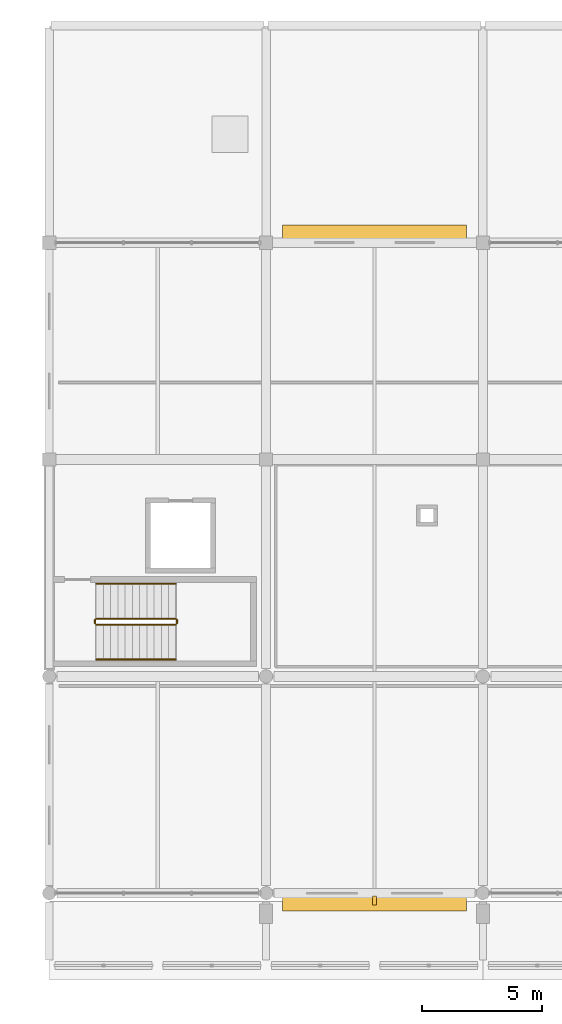
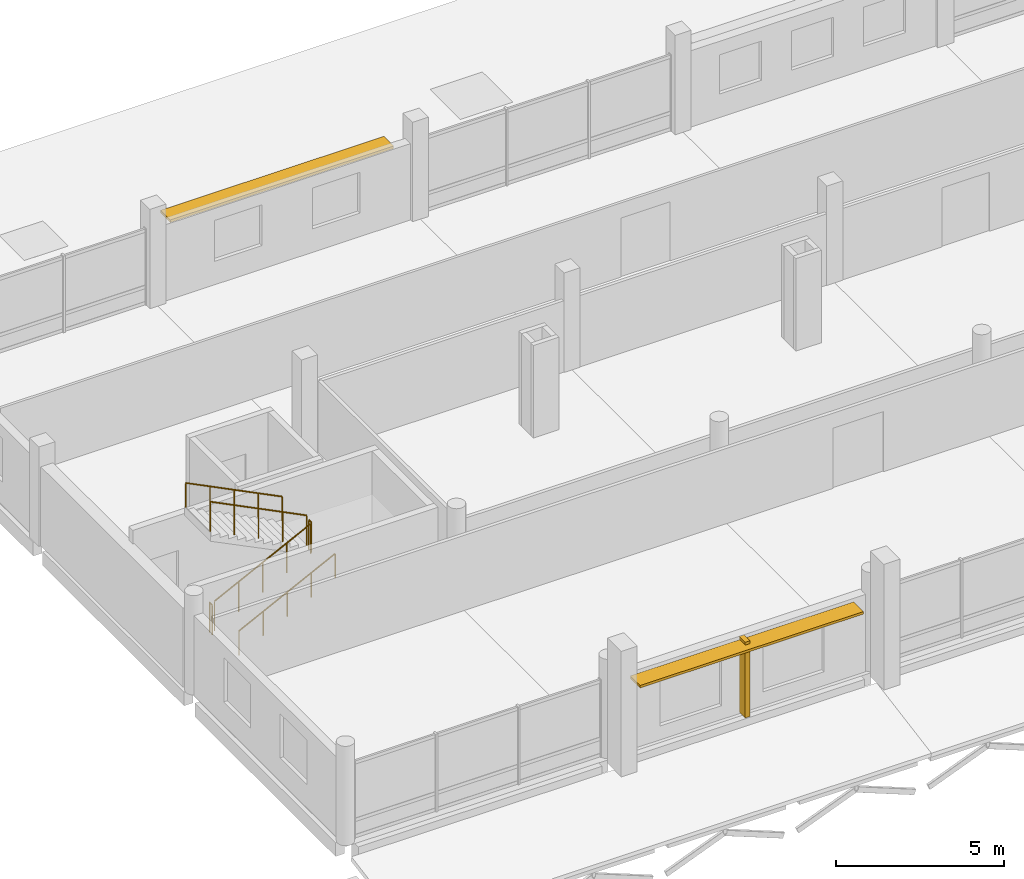
# One storey, part 126 of 132: 6 railings, 3 shading devices.
"""IFC4 building model written with IfcOpenShell, lengths in metres."""

from ifc_helpers import new_model, si_unit, direction, frame, origin, origin_2d, place, context, subcontext, project, spatial, rectangle, circle, extrude, material, layer, layer_set, type_object, element, save


model = new_model("IFC4")

# Units and contexts
model_context = context("Model", 3, precision=1e-05, world=origin(), true_north=direction((0.0, 1.0)))
body_context = subcontext(model_context, "Body", "Model", "MODEL_VIEW")
ifc_project = project(units=[si_unit("LENGTHUNIT", "METRE"), si_unit("AREAUNIT", "SQUARE_METRE"), si_unit("VOLUMEUNIT", "CUBIC_METRE"), si_unit("PLANEANGLEUNIT", "RADIAN"), si_unit("MASSUNIT", "GRAM", prefix="KILO")], contexts=[model_context])

# Site, building, storey
site_placement = place(None, origin())
site = spatial("IfcSite", under=ifc_project, at=site_placement, CompositionType="ELEMENT")
building_placement = place(site_placement, origin())
building = spatial("IfcBuilding", under=site, at=building_placement, Name="Tharagai Park Tramway Depot", CompositionType="ELEMENT")
storey_placement = place(building_placement, frame((0.0, 0.0, 4.800048828125)))
storey = spatial("IfcBuildingStorey", under=building, at=storey_placement, Name="L01", CompositionType="ELEMENT", Elevation=4.800048828125)

# Railings
ifc_material_1 = material(Name="Galvanised steel", Category="steel")
railing_type_1 = type_object("IfcRailingType", Name="HR-02", PredefinedType="GUARDRAIL", material=ifc_material_1)
railing_1_placement = place(storey_placement, frame((136.949951171875, 11.14990234375, 0.14990234375)))
element("IfcRailing", 1, at=railing_1_placement, inside=storey, type_object=railing_type_1, Name="L01 ST-06 stair guard 1", PredefinedType="GUARDRAIL", context=body_context, shape_type="SweptSolid", body=[
    extrude(circle(Radius=0.02392578125, at=origin_2d()), frame((0.0, 0.0, 1.076171875), z_axis=(0.894413956696, 0.0, 0.447240063129), x_axis=(0.0, 1.0, 0.0)), (0.0, 0.0, 1.0), 3.689697265625),
    extrude(circle(Radius=0.02099609375, at=origin_2d()), origin(), (0.0, 0.0, 1.0), 1.052001953125),
    extrude(circle(Radius=0.02099609375, at=origin_2d()), frame((0.824951171875, 0.0, 0.41259765625)), (0.0, 0.0, 1.0), 1.052001953125),
    extrude(circle(Radius=0.02099609375, at=origin_2d()), frame((1.64990234375, 0.0, 0.8251953125)), (0.0, 0.0, 1.0), 1.052001953125),
    extrude(circle(Radius=0.02099609375, at=origin_2d()), frame((2.47509765625, 0.0, 1.237548828125)), (0.0, 0.0, 1.0), 1.052001953125),
    extrude(circle(Radius=0.02099609375, at=origin_2d()), frame((3.300048828125, 0.0, 1.650146484375)), (0.0, 0.0, 1.0), 1.052001953125),
])
railing_2_placement = place(storey_placement, frame((140.300048828125, 11.199951171875, 1.800048828125)))
element("IfcRailing", 2, at=railing_2_placement, inside=storey, type_object=railing_type_1, Name="L01 ST-06 stair guard 2", PredefinedType="GUARDRAIL", context=body_context, shape_type="SweptSolid", body=[
    extrude(circle(Radius=0.02392578125, at=origin_2d()), frame((0.0, 0.0, 1.076171875), z_axis=(0.0, 1.0, 0.0), x_axis=(-1.0, 0.0, 0.0)), (0.0, 0.0, 1.0), 0.150146484375),
    extrude(circle(Radius=0.02099609375, at=origin_2d()), origin(), (0.0, 0.0, 1.0), 1.052001953125),
    extrude(circle(Radius=0.02099609375, at=origin_2d()), frame((0.0, 0.150146484375, 0.0)), (0.0, 0.0, 1.0), 1.052001953125),
])
railing_3_placement = place(storey_placement, frame((140.25, 11.39990234375, 1.949951171875)))
element("IfcRailing", 3, at=railing_3_placement, inside=storey, type_object=railing_type_1, Name="L01 ST-06 stair guard 3", PredefinedType="GUARDRAIL", context=body_context, shape_type="SweptSolid", body=[
    extrude(circle(Radius=0.02392578125, at=origin_2d()), frame((0.0, 0.0, 1.076171875), z_axis=(-0.894440424912, 0.0, 0.447187126696), x_axis=(0.0, -1.0, 0.0)), (0.0, 0.0, 1.0), 3.689453125),
    extrude(circle(Radius=0.02099609375, at=origin_2d()), origin(), (0.0, 0.0, 1.0), 1.052001953125),
    extrude(circle(Radius=0.02099609375, at=origin_2d()), frame((-0.824951171875, 0.0, 0.41259765625)), (0.0, 0.0, 1.0), 1.052001953125),
    extrude(circle(Radius=0.02099609375, at=origin_2d()), frame((-1.64990234375, 0.0, 0.824951171875)), (0.0, 0.0, 1.0), 1.052001953125),
    extrude(circle(Radius=0.02099609375, at=origin_2d()), frame((-2.47509765625, 0.0, 1.2373046875)), (0.0, 0.0, 1.0), 1.052001953125),
    extrude(circle(Radius=0.02099609375, at=origin_2d()), frame((-3.300048828125, 0.0, 1.64990234375)), (0.0, 0.0, 1.0), 1.052001953125),
])
railing_4_placement = place(storey_placement, frame((136.89990234375, 11.199951171875, 0.0)))
element("IfcRailing", 4, at=railing_4_placement, inside=storey, type_object=railing_type_1, Name="L01 ST-06 stair guard 4", PredefinedType="GUARDRAIL", context=body_context, shape_type="SweptSolid", body=[
    extrude(circle(Radius=0.02392578125, at=origin_2d()), frame((0.0, 0.0, 1.076171875), z_axis=(0.0, 1.0, 0.0), x_axis=(-1.0, 0.0, 0.0)), (0.0, 0.0, 1.0), 0.150146484375),
    extrude(circle(Radius=0.02099609375, at=origin_2d()), origin(), (0.0, 0.0, 1.0), 1.052001953125),
    extrude(circle(Radius=0.02099609375, at=origin_2d()), frame((0.0, 0.150146484375, 0.0)), (0.0, 0.0, 1.0), 1.052001953125),
])
railing_type_2 = type_object("IfcRailingType", Name="HR-03", PredefinedType="HANDRAIL", material=ifc_material_1)
railing_5_placement = place(storey_placement, frame((136.949951171875, 9.699951171875, 0.14990234375)))
element("IfcRailing", 5, at=railing_5_placement, inside=storey, type_object=railing_type_2, Name="L01 ST-06 stair handrail 1", PredefinedType="HANDRAIL", context=body_context, shape_type="SweptSolid", body=[
    extrude(circle(Radius=0.02392578125, at=origin_2d()), frame((0.0, 0.0, 0.8759765625), z_axis=(0.894413956696, 0.0, 0.447240063129), x_axis=(0.0, 1.0, 0.0)), (0.0, 0.0, 1.0), 3.689697265625),
    extrude(circle(Radius=0.02099609375, at=origin_2d()), origin(), (0.0, 0.0, 1.0), 0.851806640625),
    extrude(circle(Radius=0.02099609375, at=origin_2d()), frame((0.824951171875, 0.0, 0.41259765625)), (0.0, 0.0, 1.0), 0.851806640625),
    extrude(circle(Radius=0.02099609375, at=origin_2d()), frame((1.64990234375, 0.0, 0.8251953125)), (0.0, 0.0, 1.0), 0.851806640625),
    extrude(circle(Radius=0.02099609375, at=origin_2d()), frame((2.47509765625, 0.0, 1.237548828125)), (0.0, 0.0, 1.0), 0.851806640625),
    extrude(circle(Radius=0.02099609375, at=origin_2d()), frame((3.300048828125, 0.0, 1.650146484375)), (0.0, 0.0, 1.0), 0.851806640625),
])
railing_6_placement = place(storey_placement, frame((140.25, 12.85009765625, 1.949951171875)))
element("IfcRailing", 6, at=railing_6_placement, inside=storey, type_object=railing_type_2, Name="L01 ST-06 stair handrail 2", PredefinedType="HANDRAIL", context=body_context, shape_type="SweptSolid", body=[
    extrude(circle(Radius=0.02392578125, at=origin_2d()), frame((0.0, 0.0, 0.8759765625), z_axis=(-0.894440424912, 0.0, 0.447187126696), x_axis=(0.0, -1.0, 0.0)), (0.0, 0.0, 1.0), 3.689453125),
    extrude(circle(Radius=0.02099609375, at=origin_2d()), origin(), (0.0, 0.0, 1.0), 0.851806640625),
    extrude(circle(Radius=0.02099609375, at=origin_2d()), frame((-0.824951171875, 0.0, 0.41259765625)), (0.0, 0.0, 1.0), 0.851806640625),
    extrude(circle(Radius=0.02099609375, at=origin_2d()), frame((-1.64990234375, 0.0, 0.824951171875)), (0.0, 0.0, 1.0), 0.851806640625),
    extrude(circle(Radius=0.02099609375, at=origin_2d()), frame((-2.47509765625, 0.0, 1.2373046875)), (0.0, 0.0, 1.0), 0.851806640625),
    extrude(circle(Radius=0.02099609375, at=origin_2d()), frame((-3.300048828125, 0.0, 1.64990234375)), (0.0, 0.0, 1.0), 0.851806640625),
])

# Shading devices
ifc_material_2 = material(Name="Anodised aluminium", Category="aluminium")
ifc_layer_1 = layer(ifc_material_2, 0.090087890625)
ifc_layer_set_1 = layer_set([ifc_layer_1], Name="Anodised aluminium")
shading_device_type_1 = type_object("IfcShadingDeviceType", Name="SD-01", PredefinedType="SHUTTER", material=ifc_layer_set_1)
for number, where, z_axis, x_axis, name in (
    (7, (148.5, -0.43994140625, 2.5771484375), (0.0, 0.0, 1.0), (1.0, 0.0, 0.0), "Monsoon Storm Louvre Hood SD-01 #6"),
    (8, (148.5, 27.43994140625, 2.537109375), (0.0, 0.0, 1.0), (1.0, 0.0, 0.0), "Monsoon Storm Louvre Hood SD-01 #12"),
):
    element("IfcShadingDevice", number, at=place(storey_placement, frame(where, z_axis=z_axis, x_axis=x_axis)), inside=storey, type_object=shading_device_type_1, Name=name, PredefinedType="SHUTTER", context=body_context, shape_type="SweptSolid", body=[
        extrude(rectangle(XDim=7.654052734375, YDim=0.580078125, at=origin_2d()), origin(), (0.0, 0.0, 1.0), 0.090087890625),
    ])
ifc_material_3 = material(Name="Charnockite stone", Category="masonry")
ifc_layer_2 = layer(ifc_material_3, 0.159912109375)
ifc_layer_set_2 = layer_set([ifc_layer_2], Name="Charnockite stone")
shading_device_type_2 = type_object("IfcShadingDeviceType", Name="SD-02", PredefinedType="JALOUSIE", material=ifc_layer_set_2)
shading_device_placement = place(storey_placement, frame((148.5, -0.300048828125, 0.02978515625), z_axis=(0.0, 0.0, 1.0), x_axis=(1.0, 0.0, 0.0)))
element("IfcShadingDevice", 9, at=shading_device_placement, inside=storey, type_object=shading_device_type_2, Name="Charnockite Gothic Lancet Mullion Fin SD-02 #6", PredefinedType="JALOUSIE", context=body_context, shape_type="SweptSolid", body=[
    extrude(rectangle(XDim=0.159912109375, YDim=0.360107421875, at=origin_2d()), origin(), (0.0, 0.0, 1.0), 2.741943359375),
])

save(model, "model.ifc")
